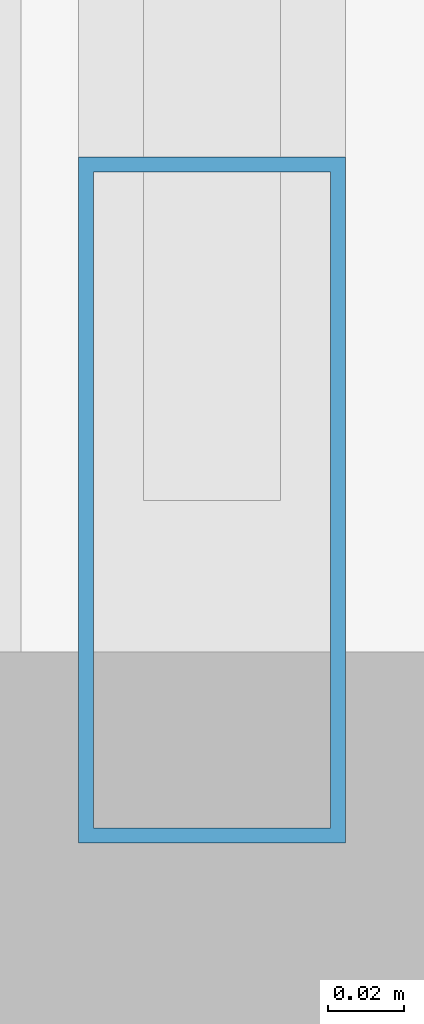
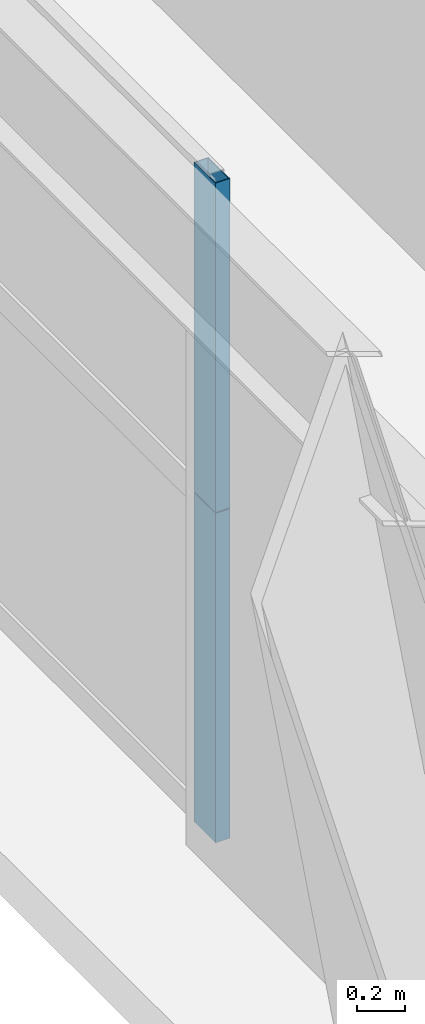
# One storey, part 6 of 42: 2 members, 1 element without a shape of its own.
"""IFC4 building model written with IfcOpenShell, lengths in metres."""

from ifc_helpers import new_model, si_unit, direction, frame, origin, origin_2d, place, context, subcontext, project, spatial, hollow_rectangle, extrude, source, transform, mapped, material, layer, layer_set, material_profile, profile_set, type_object, element, aggregate, save


model = new_model("IFC4")

# Units and contexts
model_context = context("Model", 3, precision=1e-05, world=origin(), true_north=direction((0.0, 1.0)))
body_context = subcontext(model_context, "Body", "Model", "MODEL_VIEW")
ifc_project = project(units=[si_unit("LENGTHUNIT", "METRE"), si_unit("AREAUNIT", "SQUARE_METRE"), si_unit("VOLUMEUNIT", "CUBIC_METRE"), si_unit("PLANEANGLEUNIT", "RADIAN"), si_unit("MASSUNIT", "GRAM", prefix="KILO"), si_unit("THERMODYNAMICTEMPERATUREUNIT", "KELVIN"), si_unit("POWERUNIT", "WATT")], contexts=[model_context])

# Site, building, storey
site_placement = place(None, origin())
site = spatial("IfcSite", under=ifc_project, at=site_placement, CompositionType="ELEMENT")
building_placement = place(site_placement, origin())
building = spatial("IfcBuilding", under=site, at=building_placement, Name="Yuzanri Waterfront Tower", CompositionType="ELEMENT")
storey_placement = place(building_placement, frame((0.0, 0.0, 145.199951171875)))
storey = spatial("IfcBuildingStorey", under=building, at=storey_placement, Name="L38", CompositionType="ELEMENT", Elevation=145.199951171875)

# Curtain wall, members
ifc_material_1 = material(Name="Anodized Architectural Bronze", Category="metal")
ifc_layer = layer(ifc_material_1, 0.159912109375)
ifc_layer_set = layer_set([ifc_layer], Name="Anodized Architectural Bronze")
curtain_wall_type = type_object("IfcCurtainWallType", Name="Anodized Bronze Hotel Upper-Tier Solar-Control Unitized Curtain Wall 7800", PredefinedType="NOTDEFINED", material=ifc_layer_set)
curtain_wall_placement = place(storey_placement, origin())
curtain_wall = element("IfcCurtainWall", 1, at=curtain_wall_placement, inside=storey, type_object=curtain_wall_type, Name="L38 Curtain Wall CW-L38-WL1", PredefinedType="NOTDEFINED")
ifc_material_2 = material(Name="Anodized Architectural Bronze", Category="metal")
ifc_material_profile = material_profile(ifc_material_2, hollow_rectangle(XDim=0.070068359375, YDim=0.179931640625, WallThickness=0.00390625, at=origin_2d()), Name="CWM 70x180")
ifc_profile_set = profile_set([ifc_material_profile], Name="Anodized Architectural Bronze")
member_type = type_object("IfcMemberType", Name="Anodized Bronze Standard Curtain-Wall Mullion 70x180", PredefinedType="MULLION", material=ifc_profile_set)
shared_shape = source(origin(), body_context, "Body", "SweptSolid", [
    extrude(hollow_rectangle(XDim=0.070068359375, YDim=0.179931640625, WallThickness=0.00390625, at=origin_2d()), origin(), (0.0, 0.0, 1.0), 1.68798828125),
])
member_1_placement = place(storey_placement, frame((13.550048828125, 9.590087890625, 0.0), z_axis=(0.0, 0.0, 1.0), x_axis=(1.0, 0.0, 0.0)))
member_1 = element("IfcMember", 2, at=member_1_placement, type_object=member_type, Name="CW-L38-WL1 Lower Mullion 00", PredefinedType="MULLION", context=body_context, shape_type="MappedRepresentation", body=[
    mapped(shared_shape, transform((0.0, 0.0, 0.0), scale=1.0)),
])
member_2_placement = place(storey_placement, frame((13.550048828125, 9.590087890625, 1.692138671875), z_axis=(0.0, 0.0, 1.0), x_axis=(1.0, 0.0, 0.0)))
member_2 = element("IfcMember", 3, at=member_2_placement, type_object=member_type, Name="CW-L38-WL1 Upper Mullion 00", PredefinedType="MULLION", context=body_context, shape_type="MappedRepresentation", body=[
    mapped(shared_shape, transform((0.0, 0.0, 0.0), scale=1.0)),
])
aggregate(curtain_wall, [member_1, member_2])

save(model, "model.ifc")
